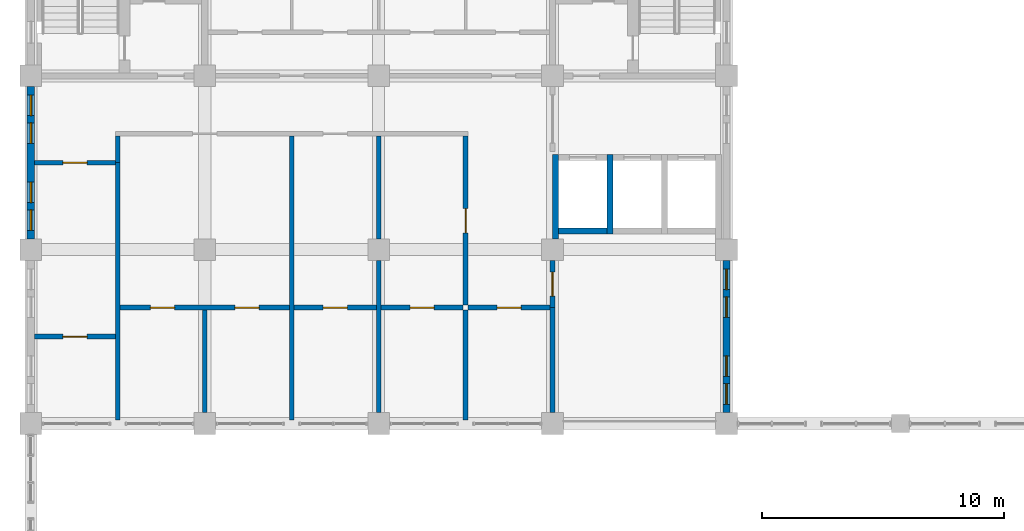
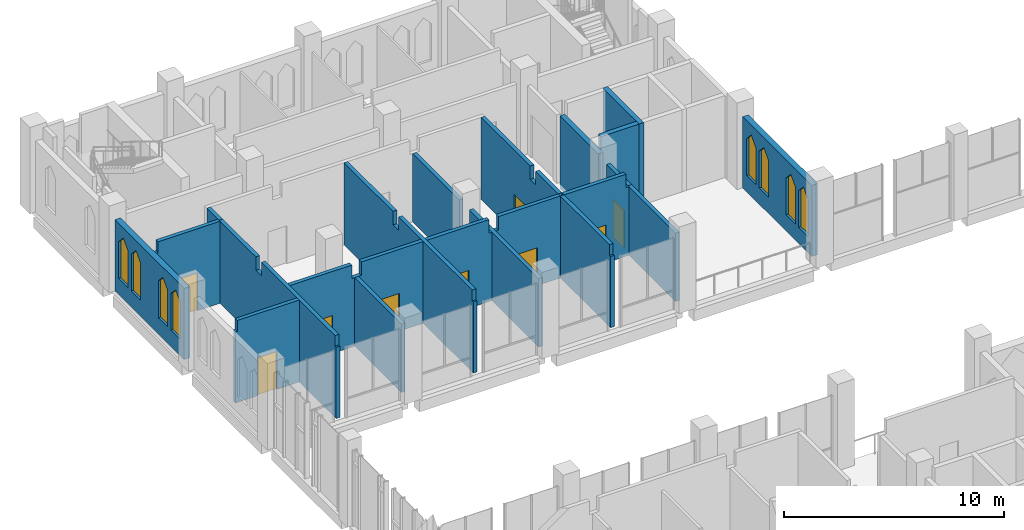
# One storey, part 30 of 39: 21 walls, 9 doors, 8 windows, 17 openings.
"""IFC4 building model written with IfcOpenShell, lengths in metres."""

from ifc_helpers import new_model, si_unit, direction, frame, frame_2d, origin, place, context, subcontext, project, spatial, polyline, rectangle, outline, extrude, material, layer, layer_set, type_object, element, fill, save


model = new_model("IFC4")

# Units and contexts
model_context = context("Model", 3, precision=1e-05, world=origin(), true_north=direction((0.0, 1.0)))
body_context = subcontext(model_context, "Body", "Model", "MODEL_VIEW")
ifc_project = project(units=[si_unit("LENGTHUNIT", "METRE"), si_unit("AREAUNIT", "SQUARE_METRE"), si_unit("VOLUMEUNIT", "CUBIC_METRE"), si_unit("PLANEANGLEUNIT", "RADIAN"), si_unit("MASSUNIT", "GRAM", prefix="KILO")], contexts=[model_context])

# Site, building, storey
site_placement = place(None, origin())
site = spatial("IfcSite", under=ifc_project, at=site_placement, CompositionType="ELEMENT")
building_placement = place(site_placement, origin())
building = spatial("IfcBuilding", under=site, at=building_placement, Name="Silangan Lancet Faculty of Sciences", CompositionType="ELEMENT")
storey_placement = place(building_placement, frame((0.0, 0.0, 26.39990234375)))
storey = spatial("IfcBuildingStorey", under=building, at=storey_placement, Name="L05", CompositionType="ELEMENT", Elevation=26.39990234375)

# Wall, openings, windows
ifc_material_1 = material(Name="Concrete C40/50 precast", Category="concrete")
ifc_layer_1 = layer(ifc_material_1, 0.300048828125)
ifc_layer_set_1 = layer_set([ifc_layer_1], Name="Concrete C40/50 precast")
wall_type_1 = type_object("IfcWallType", Name="EW1 Precast cladding wall", PredefinedType="STANDARD", material=ifc_layer_set_1)
wall_1_placement = place(storey_placement, frame((0.0, 43.64990234375, 0.0), z_axis=(0.0, 0.0, 1.0), x_axis=(0.0, 1.0, 0.0)))
wall_1 = element("IfcWall", 1, at=wall_1_placement, inside=storey, type_object=wall_type_1, Name="EW-L05-W-NT-01", PredefinedType="STANDARD", context=body_context, shape_type="SweptSolid", body=[
    extrude(rectangle(XDim=6.300048828125, YDim=0.300048828125, at=frame_2d((3.14990234375, 0.0))), origin(), (0.0, 0.0, 1.0), 3.9501953125),
])
opening_1_placement = place(wall_1_placement, frame((0.35009765625, 0.0, 0.89990234375)))
opening_1 = element("IfcOpeningElement", 2, at=opening_1_placement, cuts=wall_1, Name="Opening W14", PredefinedType="OPENING", context=body_context, shape_type="SweptSolid", body=[
    extrude(outline(polyline([(0.0, 0.0), (0.85009765625, 0.0), (0.85009765625, 2.050048828125), (0.425048828125, 2.5), (0.0, 2.050048828125), (0.0, 0.0)])), frame((0.0, 0.159912109375, 0.0), z_axis=(0.0, -1.0, 0.0), x_axis=(1.0, 0.0, 0.0)), (0.0, 0.0, 1.0), 0.320068359375),
])
opening_2_placement = place(wall_1_placement, frame((1.5, 0.0, 0.89990234375)))
opening_2 = element("IfcOpeningElement", 3, at=opening_2_placement, cuts=wall_1, Name="Opening W14", PredefinedType="OPENING", context=body_context, shape_type="SweptSolid", body=[
    extrude(outline(polyline([(0.0, 0.0), (0.85009765625, 0.0), (0.85009765625, 2.050048828125), (0.425048828125, 2.5), (0.0, 2.050048828125), (0.0, 0.0)])), frame((0.0, 0.159912109375, 0.0), z_axis=(0.0, -1.0, 0.0), x_axis=(1.0, 0.0, 0.0)), (0.0, 0.0, 1.0), 0.320068359375),
])
opening_3_placement = place(wall_1_placement, frame((3.949951171875, 0.0, 0.89990234375)))
opening_3 = element("IfcOpeningElement", 4, at=opening_3_placement, cuts=wall_1, Name="Opening W14", PredefinedType="OPENING", context=body_context, shape_type="SweptSolid", body=[
    extrude(outline(polyline([(0.0, 0.0), (0.85009765625, 0.0), (0.85009765625, 2.050048828125), (0.425048828125, 2.5), (0.0, 2.050048828125), (0.0, 0.0)])), frame((0.0, 0.159912109375, 0.0), z_axis=(0.0, -1.0, 0.0), x_axis=(1.0, 0.0, 0.0)), (0.0, 0.0, 1.0), 0.320068359375),
])
opening_4_placement = place(wall_1_placement, frame((5.10009765625, 0.0, 0.89990234375)))
opening_4 = element("IfcOpeningElement", 5, at=opening_4_placement, cuts=wall_1, Name="Opening W14", PredefinedType="OPENING", context=body_context, shape_type="SweptSolid", body=[
    extrude(outline(polyline([(0.0, 0.0), (0.85009765625, 0.0), (0.85009765625, 2.050048828125), (0.425048828125, 2.5), (0.0, 2.050048828125), (0.0, 0.0)])), frame((0.0, 0.159912109375, 0.0), z_axis=(0.0, -1.0, 0.0), x_axis=(1.0, 0.0, 0.0)), (0.0, 0.0, 1.0), 0.320068359375),
])
ifc_material_2 = material(Name="Aluminium frame, laminated double glazing", Category="aluminium")
window_type = type_object("IfcWindowType", Name="W14 Lancet window 850 x 2500", PartitioningType="SINGLE_PANEL", PredefinedType="WINDOW", material=ifc_material_2)
window_1_placement = place(opening_1_placement, origin())
window_1 = element("IfcWindow", 6, at=window_1_placement, inside=storey, type_object=window_type, Name="WIN-L05-W-NT-01a1", OverallHeight=2.5, OverallWidth=0.85009765625, PartitioningType="SINGLE_PANEL", PredefinedType="WINDOW", context=body_context, shape_type="SweptSolid", body=[
    extrude(outline(polyline([(0.0, 0.0), (0.85009765625, 0.0), (0.85009765625, 2.050048828125), (0.425048828125, 2.5), (0.0, 2.050048828125), (0.0, 0.0)])), frame((0.0, 0.030029296875, 0.0), z_axis=(0.0, -1.0, 0.0), x_axis=(1.0, 0.0, 0.0)), (0.0, 0.0, 1.0), 0.06005859375),
])
fill(opening_1, window_1)
window_2_placement = place(opening_2_placement, origin())
window_2 = element("IfcWindow", 7, at=window_2_placement, inside=storey, type_object=window_type, Name="WIN-L05-W-NT-01a2", OverallHeight=2.5, OverallWidth=0.85009765625, PartitioningType="SINGLE_PANEL", PredefinedType="WINDOW", context=body_context, shape_type="SweptSolid", body=[
    extrude(outline(polyline([(0.0, 0.0), (0.85009765625, 0.0), (0.85009765625, 2.050048828125), (0.425048828125, 2.5), (0.0, 2.050048828125), (0.0, 0.0)])), frame((0.0, 0.030029296875, 0.0), z_axis=(0.0, -1.0, 0.0), x_axis=(1.0, 0.0, 0.0)), (0.0, 0.0, 1.0), 0.06005859375),
])
fill(opening_2, window_2)
window_3_placement = place(opening_3_placement, origin())
window_3 = element("IfcWindow", 8, at=window_3_placement, inside=storey, type_object=window_type, Name="WIN-L05-W-NT-01b1", OverallHeight=2.5, OverallWidth=0.85009765625, PartitioningType="SINGLE_PANEL", PredefinedType="WINDOW", context=body_context, shape_type="SweptSolid", body=[
    extrude(outline(polyline([(0.0, 0.0), (0.85009765625, 0.0), (0.85009765625, 2.050048828125), (0.425048828125, 2.5), (0.0, 2.050048828125), (0.0, 0.0)])), frame((0.0, 0.030029296875, 0.0), z_axis=(0.0, -1.0, 0.0), x_axis=(1.0, 0.0, 0.0)), (0.0, 0.0, 1.0), 0.06005859375),
])
fill(opening_3, window_3)
window_4_placement = place(opening_4_placement, origin())
window_4 = element("IfcWindow", 9, at=window_4_placement, inside=storey, type_object=window_type, Name="WIN-L05-W-NT-01b2", OverallHeight=2.5, OverallWidth=0.85009765625, PartitioningType="SINGLE_PANEL", PredefinedType="WINDOW", context=body_context, shape_type="SweptSolid", body=[
    extrude(outline(polyline([(0.0, 0.0), (0.85009765625, 0.0), (0.85009765625, 2.050048828125), (0.425048828125, 2.5), (0.0, 2.050048828125), (0.0, 0.0)])), frame((0.0, 0.030029296875, 0.0), z_axis=(0.0, -1.0, 0.0), x_axis=(1.0, 0.0, 0.0)), (0.0, 0.0, 1.0), 0.06005859375),
])
fill(opening_4, window_4)

wall_2_placement = place(storey_placement, frame((28.800048828125, 36.449951171875, 0.0), z_axis=(0.0, 0.0, 1.0), x_axis=(0.0, 1.0, 0.0)))
wall_2 = element("IfcWall", 10, at=wall_2_placement, inside=storey, type_object=wall_type_1, Name="EW-L05-E-NT-00", PredefinedType="STANDARD", context=body_context, shape_type="SweptSolid", body=[
    extrude(rectangle(XDim=6.300048828125, YDim=0.300048828125, at=frame_2d((3.14990234375, 0.0))), origin(), (0.0, 0.0, 1.0), 3.9501953125),
])
opening_5_placement = place(wall_2_placement, frame((0.35009765625, 0.0, 0.89990234375)))
opening_5 = element("IfcOpeningElement", 11, at=opening_5_placement, cuts=wall_2, Name="Opening W14", PredefinedType="OPENING", context=body_context, shape_type="SweptSolid", body=[
    extrude(outline(polyline([(0.0, 0.0), (0.85009765625, 0.0), (0.85009765625, 2.050048828125), (0.425048828125, 2.5), (0.0, 2.050048828125), (0.0, 0.0)])), frame((0.0, 0.159912109375, 0.0), z_axis=(0.0, -1.0, 0.0), x_axis=(1.0, 0.0, 0.0)), (0.0, 0.0, 1.0), 0.320068359375),
])
opening_6_placement = place(wall_2_placement, frame((1.5, 0.0, 0.89990234375)))
opening_6 = element("IfcOpeningElement", 12, at=opening_6_placement, cuts=wall_2, Name="Opening W14", PredefinedType="OPENING", context=body_context, shape_type="SweptSolid", body=[
    extrude(outline(polyline([(0.0, 0.0), (0.85009765625, 0.0), (0.85009765625, 2.050048828125), (0.425048828125, 2.5), (0.0, 2.050048828125), (0.0, 0.0)])), frame((0.0, 0.159912109375, 0.0), z_axis=(0.0, -1.0, 0.0), x_axis=(1.0, 0.0, 0.0)), (0.0, 0.0, 1.0), 0.320068359375),
])
opening_7_placement = place(wall_2_placement, frame((3.949951171875, 0.0, 0.89990234375)))
opening_7 = element("IfcOpeningElement", 13, at=opening_7_placement, cuts=wall_2, Name="Opening W14", PredefinedType="OPENING", context=body_context, shape_type="SweptSolid", body=[
    extrude(outline(polyline([(0.0, 0.0), (0.85009765625, 0.0), (0.85009765625, 2.050048828125), (0.425048828125, 2.5), (0.0, 2.050048828125), (0.0, 0.0)])), frame((0.0, 0.159912109375, 0.0), z_axis=(0.0, -1.0, 0.0), x_axis=(1.0, 0.0, 0.0)), (0.0, 0.0, 1.0), 0.320068359375),
])
opening_8_placement = place(wall_2_placement, frame((5.10009765625, 0.0, 0.89990234375)))
opening_8 = element("IfcOpeningElement", 14, at=opening_8_placement, cuts=wall_2, Name="Opening W14", PredefinedType="OPENING", context=body_context, shape_type="SweptSolid", body=[
    extrude(outline(polyline([(0.0, 0.0), (0.85009765625, 0.0), (0.85009765625, 2.050048828125), (0.425048828125, 2.5), (0.0, 2.050048828125), (0.0, 0.0)])), frame((0.0, 0.159912109375, 0.0), z_axis=(0.0, -1.0, 0.0), x_axis=(1.0, 0.0, 0.0)), (0.0, 0.0, 1.0), 0.320068359375),
])
window_5_placement = place(opening_5_placement, origin())
window_5 = element("IfcWindow", 15, at=window_5_placement, inside=storey, type_object=window_type, Name="WIN-L05-E-NT-00a1", OverallHeight=2.5, OverallWidth=0.85009765625, PartitioningType="SINGLE_PANEL", PredefinedType="WINDOW", context=body_context, shape_type="SweptSolid", body=[
    extrude(outline(polyline([(0.0, 0.0), (0.85009765625, 0.0), (0.85009765625, 2.050048828125), (0.425048828125, 2.5), (0.0, 2.050048828125), (0.0, 0.0)])), frame((0.0, 0.030029296875, 0.0), z_axis=(0.0, -1.0, 0.0), x_axis=(1.0, 0.0, 0.0)), (0.0, 0.0, 1.0), 0.06005859375),
])
fill(opening_5, window_5)
window_6_placement = place(opening_6_placement, origin())
window_6 = element("IfcWindow", 16, at=window_6_placement, inside=storey, type_object=window_type, Name="WIN-L05-E-NT-00a2", OverallHeight=2.5, OverallWidth=0.85009765625, PartitioningType="SINGLE_PANEL", PredefinedType="WINDOW", context=body_context, shape_type="SweptSolid", body=[
    extrude(outline(polyline([(0.0, 0.0), (0.85009765625, 0.0), (0.85009765625, 2.050048828125), (0.425048828125, 2.5), (0.0, 2.050048828125), (0.0, 0.0)])), frame((0.0, 0.030029296875, 0.0), z_axis=(0.0, -1.0, 0.0), x_axis=(1.0, 0.0, 0.0)), (0.0, 0.0, 1.0), 0.06005859375),
])
fill(opening_6, window_6)
window_7_placement = place(opening_7_placement, origin())
window_7 = element("IfcWindow", 17, at=window_7_placement, inside=storey, type_object=window_type, Name="WIN-L05-E-NT-00b1", OverallHeight=2.5, OverallWidth=0.85009765625, PartitioningType="SINGLE_PANEL", PredefinedType="WINDOW", context=body_context, shape_type="SweptSolid", body=[
    extrude(outline(polyline([(0.0, 0.0), (0.85009765625, 0.0), (0.85009765625, 2.050048828125), (0.425048828125, 2.5), (0.0, 2.050048828125), (0.0, 0.0)])), frame((0.0, 0.030029296875, 0.0), z_axis=(0.0, -1.0, 0.0), x_axis=(1.0, 0.0, 0.0)), (0.0, 0.0, 1.0), 0.06005859375),
])
fill(opening_7, window_7)
window_8_placement = place(opening_8_placement, origin())
window_8 = element("IfcWindow", 18, at=window_8_placement, inside=storey, type_object=window_type, Name="WIN-L05-E-NT-00b2", OverallHeight=2.5, OverallWidth=0.85009765625, PartitioningType="SINGLE_PANEL", PredefinedType="WINDOW", context=body_context, shape_type="SweptSolid", body=[
    extrude(outline(polyline([(0.0, 0.0), (0.85009765625, 0.0), (0.85009765625, 2.050048828125), (0.425048828125, 2.5), (0.0, 2.050048828125), (0.0, 0.0)])), frame((0.0, 0.030029296875, 0.0), z_axis=(0.0, -1.0, 0.0), x_axis=(1.0, 0.0, 0.0)), (0.0, 0.0, 1.0), 0.06005859375),
])
fill(opening_8, window_8)

# Wall, opening, door
ifc_material_3 = material(Name="Hollow block masonry fm 7 MPa", Category="masonry")
ifc_layer_2 = layer(ifc_material_3, 0.199951171875)
ifc_layer_set_2 = layer_set([ifc_layer_2], Name="Hollow block masonry fm 7 MPa")
wall_type_2 = type_object("IfcWallType", Name="Interior wall PW1 Corridor wall CHB 200", PredefinedType="PARTITIONING", material=ifc_layer_set_2)
wall_3_placement = place(storey_placement, frame((18.10009765625, 40.800048828125, 0.0), z_axis=(0.0, 0.0, 1.0), x_axis=(1.0, 0.0, 0.0)))
wall_3 = element("IfcWall", 19, at=wall_3_placement, inside=storey, type_object=wall_type_2, Name="Corridor wall CHB 200", PredefinedType="PARTITIONING", context=body_context, shape_type="SweptSolid", body=[
    extrude(outline(polyline([(0.0, 0.0), (3.39990234375, 0.0), (3.39990234375, 3.800048828125), (3.25, 3.800048828125), (3.25, 4.550048828125), (0.0, 4.550048828125), (0.0, 0.0)])), frame((0.0, 0.10009765625, 0.0), z_axis=(0.0, -1.0, 0.0), x_axis=(1.0, 0.0, 0.0)), (0.0, 0.0, 1.0), 0.199951171875),
])
opening_9_placement = place(wall_3_placement, frame((1.199951171875, 0.0, 0.0)))
opening_9 = element("IfcOpeningElement", 20, at=opening_9_placement, cuts=wall_3, Name="Opening L05-022", PredefinedType="OPENING", context=body_context, shape_type="SweptSolid", body=[
    extrude(rectangle(XDim=1.0, YDim=2.10009765625, at=frame_2d((0.5, 1.050048828125))), frame((0.0, 0.10986328125, 0.0), z_axis=(0.0, -1.0, 0.0), x_axis=(1.0, 0.0, 0.0)), (0.0, 0.0, 1.0), 0.219970703125),
])
ifc_material_4 = material(Name="Steel fire door set", Category="steel")
door_type = type_object("IfcDoorType", Name="Door D1 Single leaf fire door 1000 x 2100", OperationType="SINGLE_SWING_LEFT", PredefinedType="DOOR", material=ifc_material_4)
door_1_placement = place(opening_9_placement, frame((1.0, 0.0, 0.0), z_axis=(0.0, 0.0, 1.0), x_axis=(-1.0, 0.0, 0.0)))
door_1 = element("IfcDoor", 21, at=door_1_placement, inside=storey, type_object=door_type, Name="Single leaf fire door 1000 x 2100", OperationType="SINGLE_SWING_RIGHT", OverallHeight=2.10009765625, OverallWidth=1.0, PredefinedType="DOOR", context=body_context, shape_type="SweptSolid", body=[
    extrude(rectangle(XDim=1.0, YDim=2.10009765625, at=frame_2d((0.5, 1.050048828125))), frame((0.0, 0.025146484375, 0.0), z_axis=(0.0, -1.0, 0.0), x_axis=(1.0, 0.0, 0.0)), (0.0, 0.0, 1.0), 0.050048828125),
])
fill(opening_9, door_1)

wall_4_placement = place(storey_placement, frame((0.14990234375, 46.800048828125, 0.0), z_axis=(0.0, 0.0, 1.0), x_axis=(1.0, 0.0, 0.0)))
wall_4 = element("IfcWall", 22, at=wall_4_placement, inside=storey, type_object=wall_type_2, Name="Corridor wall CHB 200", PredefinedType="PARTITIONING", context=body_context, shape_type="SweptSolid", body=[
    extrude(outline(polyline([(0.0, 0.0), (3.35009765625, 0.0), (3.35009765625, 4.550048828125), (0.10009765625, 4.550048828125), (0.10009765625, 3.9501953125), (0.0, 3.9501953125), (0.0, 0.0)])), frame((0.0, 0.10009765625, 0.0), z_axis=(0.0, -1.0, 0.0), x_axis=(1.0, 0.0, 0.0)), (0.0, 0.0, 1.0), 0.199951171875),
])
opening_10_placement = place(wall_4_placement, frame((1.175048828125, 0.0, 0.0)))
opening_10 = element("IfcOpeningElement", 23, at=opening_10_placement, cuts=wall_4, Name="Opening L05-024", PredefinedType="OPENING", context=body_context, shape_type="SweptSolid", body=[
    extrude(rectangle(XDim=1.0, YDim=2.10009765625, at=frame_2d((0.5, 1.050048828125))), frame((0.0, 0.10986328125, 0.0), z_axis=(0.0, -1.0, 0.0), x_axis=(1.0, 0.0, 0.0)), (0.0, 0.0, 1.0), 0.219970703125),
])
door_2_placement = place(opening_10_placement, frame((1.0, 0.0, 0.0), z_axis=(0.0, 0.0, 1.0), x_axis=(-1.0, 0.0, 0.0)))
door_2 = element("IfcDoor", 24, at=door_2_placement, inside=storey, type_object=door_type, Name="Single leaf fire door 1000 x 2100", OperationType="SINGLE_SWING_RIGHT", OverallHeight=2.10009765625, OverallWidth=1.0, PredefinedType="DOOR", context=body_context, shape_type="SweptSolid", body=[
    extrude(rectangle(XDim=1.0, YDim=2.10009765625, at=frame_2d((0.5, 1.050048828125))), frame((0.0, 0.025146484375, 0.0), z_axis=(0.0, -1.0, 0.0), x_axis=(1.0, 0.0, 0.0)), (0.0, 0.0, 1.0), 0.050048828125),
])
fill(opening_10, door_2)

# Wall
wall_5_placement = place(storey_placement, frame((3.60009765625, 46.800048828125, 0.0), z_axis=(0.0, 0.0, 1.0), x_axis=(0.0, 1.0, 0.0)))
element("IfcWall", 25, at=wall_5_placement, inside=storey, type_object=wall_type_2, Name="Corridor wall CHB 200", PredefinedType="PARTITIONING", context=body_context, shape_type="SweptSolid", body=[
    extrude(rectangle(XDim=1.099853515625, YDim=0.199951171875, at=frame_2d((0.5498046875, 0.0))), origin(), (0.0, 0.0, 1.0), 4.550048828125),
])

# Wall, opening, door
wall_6_placement = place(storey_placement, frame((18.0, 40.89990234375, 0.0), z_axis=(0.0, 0.0, 1.0), x_axis=(0.0, 1.0, 0.0)))
wall_6 = element("IfcWall", 26, at=wall_6_placement, inside=storey, type_object=wall_type_2, Name="Corridor wall CHB 200", PredefinedType="PARTITIONING", context=body_context, shape_type="SweptSolid", body=[
    extrude(outline(polyline([(0.0, 0.0), (7.0, 0.0), (7.0, 4.550048828125), (2.550048828125, 4.550048828125), (2.550048828125, 3.800048828125), (2.050048828125, 3.800048828125), (2.050048828125, 4.550048828125), (0.0, 4.550048828125), (0.0, 0.0)])), frame((0.0, 0.10009765625, 0.0), z_axis=(0.0, -1.0, 0.0), x_axis=(1.0, 0.0, 0.0)), (0.0, 0.0, 1.0), 0.199951171875),
])
opening_11_placement = place(wall_6_placement, frame((3.0, 0.0, 0.0)))
opening_11 = element("IfcOpeningElement", 27, at=opening_11_placement, cuts=wall_6, Name="Opening L05-031", PredefinedType="OPENING", context=body_context, shape_type="SweptSolid", body=[
    extrude(rectangle(XDim=1.0, YDim=2.10009765625, at=frame_2d((0.5, 1.050048828125))), frame((0.0, 0.10986328125, 0.0), z_axis=(0.0, -1.0, 0.0), x_axis=(1.0, 0.0, 0.0)), (0.0, 0.0, 1.0), 0.219970703125),
])
door_3_placement = place(opening_11_placement, origin())
door_3 = element("IfcDoor", 28, at=door_3_placement, inside=storey, type_object=door_type, Name="Single leaf fire door 1000 x 2100", OperationType="SINGLE_SWING_RIGHT", OverallHeight=2.10009765625, OverallWidth=1.0, PredefinedType="DOOR", context=body_context, shape_type="SweptSolid", body=[
    extrude(rectangle(XDim=1.0, YDim=2.10009765625, at=frame_2d((0.5, 1.050048828125))), frame((0.0, 0.02490234375, 0.0), z_axis=(0.0, -1.0, 0.0), x_axis=(1.0, 0.0, 0.0)), (0.0, 0.0, 1.0), 0.050048828125),
])
fill(opening_11, door_3)

wall_7_placement = place(storey_placement, frame((21.60009765625, 40.800048828125, 0.0), z_axis=(0.0, 0.0, 1.0), x_axis=(0.0, 1.0, 0.0)))
wall_7 = element("IfcWall", 29, at=wall_7_placement, inside=storey, type_object=wall_type_2, Name="Corridor wall CHB 200", PredefinedType="PARTITIONING", context=body_context, shape_type="SweptSolid", body=[
    extrude(rectangle(XDim=1.949951171875, YDim=0.199951171875, at=frame_2d((0.97509765625, 0.0))), origin(), (0.0, 0.0, 1.0), 3.800048828125),
])
opening_12_placement = place(wall_7_placement, frame((0.47509765625, 0.0, 0.0)))
opening_12 = element("IfcOpeningElement", 30, at=opening_12_placement, cuts=wall_7, Name="Opening L05-023", PredefinedType="OPENING", context=body_context, shape_type="SweptSolid", body=[
    extrude(rectangle(XDim=1.0, YDim=2.10009765625, at=frame_2d((0.5, 1.050048828125))), frame((0.0, 0.10986328125, 0.0), z_axis=(0.0, -1.0, 0.0), x_axis=(1.0, 0.0, 0.0)), (0.0, 0.0, 1.0), 0.219970703125),
])
door_4_placement = place(opening_12_placement, frame((1.0, 0.0, 0.0), z_axis=(0.0, 0.0, 1.0), x_axis=(-1.0, 0.0, 0.0)))
door_4 = element("IfcDoor", 31, at=door_4_placement, inside=storey, type_object=door_type, Name="Single leaf fire door 1000 x 2100", OperationType="SINGLE_SWING_LEFT", OverallHeight=2.10009765625, OverallWidth=1.0, PredefinedType="DOOR", context=body_context, shape_type="SweptSolid", body=[
    extrude(rectangle(XDim=1.0, YDim=2.10009765625, at=frame_2d((0.5, 1.050048828125))), frame((0.0, 0.025146484375, 0.0), z_axis=(0.0, -1.0, 0.0), x_axis=(1.0, 0.0, 0.0)), (0.0, 0.0, 1.0), 0.050048828125),
])
fill(opening_12, door_4)

ifc_material_5 = material(Name="Hollow block masonry fm 7 MPa", Category="masonry")
ifc_layer_3 = layer(ifc_material_5, 0.199951171875)
ifc_layer_set_3 = layer_set([ifc_layer_3], Name="Hollow block masonry fm 7 MPa")
wall_type_3 = type_object("IfcWallType", Name="Interior wall PW4 Laboratory separation CHB 200", PredefinedType="PARTITIONING", material=ifc_layer_set_3)
wall_8_placement = place(storey_placement, frame((0.14990234375, 39.60009765625, 0.0), z_axis=(0.0, 0.0, 1.0), x_axis=(1.0, 0.0, 0.0)))
wall_8 = element("IfcWall", 32, at=wall_8_placement, inside=storey, type_object=wall_type_3, Name="Laboratory separation CHB 200", PredefinedType="PARTITIONING", context=body_context, shape_type="SweptSolid", body=[
    extrude(outline(polyline([(0.0, 0.0), (3.35009765625, 0.0), (3.35009765625, 4.550048828125), (0.10009765625, 4.550048828125), (0.10009765625, 3.9501953125), (0.0, 3.9501953125), (0.0, 0.0)])), frame((0.0, 0.10009765625, 0.0), z_axis=(0.0, -1.0, 0.0), x_axis=(1.0, 0.0, 0.0)), (0.0, 0.0, 1.0), 0.199951171875),
])
opening_13_placement = place(wall_8_placement, frame((1.175048828125, 0.0, 0.0)))
opening_13 = element("IfcOpeningElement", 33, at=opening_13_placement, cuts=wall_8, Name="Opening L05-025", PredefinedType="OPENING", context=body_context, shape_type="SweptSolid", body=[
    extrude(rectangle(XDim=1.0, YDim=2.10009765625, at=frame_2d((0.5, 1.050048828125))), frame((0.0, 0.10986328125, 0.0), z_axis=(0.0, -1.0, 0.0), x_axis=(1.0, 0.0, 0.0)), (0.0, 0.0, 1.0), 0.219970703125),
])
door_5_placement = place(opening_13_placement, frame((1.0, 0.0, 0.0), z_axis=(0.0, 0.0, 1.0), x_axis=(-1.0, 0.0, 0.0)))
door_5 = element("IfcDoor", 34, at=door_5_placement, inside=storey, type_object=door_type, Name="Single leaf fire door 1000 x 2100", OperationType="SINGLE_SWING_LEFT", OverallHeight=2.10009765625, OverallWidth=1.0, PredefinedType="DOOR", context=body_context, shape_type="SweptSolid", body=[
    extrude(rectangle(XDim=1.0, YDim=2.10009765625, at=frame_2d((0.5, 1.050048828125))), frame((0.0, 0.025146484375, 0.0), z_axis=(0.0, -1.0, 0.0), x_axis=(1.0, 0.0, 0.0)), (0.0, 0.0, 1.0), 0.050048828125),
])
fill(opening_13, door_5)

# Wall, openings, doors
wall_9_placement = place(storey_placement, frame((3.699951171875, 40.800048828125, 0.0), z_axis=(0.0, 0.0, 1.0), x_axis=(1.0, 0.0, 0.0)))
wall_9 = element("IfcWall", 35, at=wall_9_placement, inside=storey, type_object=wall_type_3, Name="Laboratory separation CHB 200", PredefinedType="PARTITIONING", context=body_context, shape_type="SweptSolid", body=[
    extrude(outline(polyline([(0.0, 0.0), (7.0, 0.0), (7.0, 4.550048828125), (3.75, 4.550048828125), (3.75, 3.800048828125), (3.25, 3.800048828125), (3.25, 4.550048828125), (0.0, 4.550048828125), (0.0, 0.0)])), frame((0.0, 0.10009765625, 0.0), z_axis=(0.0, -1.0, 0.0), x_axis=(1.0, 0.0, 0.0)), (0.0, 0.0, 1.0), 0.199951171875),
])
opening_14_placement = place(wall_9_placement, frame((1.25, 0.0, 0.0)))
opening_14 = element("IfcOpeningElement", 36, at=opening_14_placement, cuts=wall_9, Name="Opening L05-027", PredefinedType="OPENING", context=body_context, shape_type="SweptSolid", body=[
    extrude(rectangle(XDim=1.0, YDim=2.10009765625, at=frame_2d((0.5, 1.050048828125))), frame((0.0, 0.10986328125, 0.0), z_axis=(0.0, -1.0, 0.0), x_axis=(1.0, 0.0, 0.0)), (0.0, 0.0, 1.0), 0.219970703125),
])
opening_15_placement = place(wall_9_placement, frame((4.75, 0.0, 0.0)))
opening_15 = element("IfcOpeningElement", 37, at=opening_15_placement, cuts=wall_9, Name="Opening L05-028", PredefinedType="OPENING", context=body_context, shape_type="SweptSolid", body=[
    extrude(rectangle(XDim=1.0, YDim=2.10009765625, at=frame_2d((0.5, 1.050048828125))), frame((0.0, 0.10986328125, 0.0), z_axis=(0.0, -1.0, 0.0), x_axis=(1.0, 0.0, 0.0)), (0.0, 0.0, 1.0), 0.219970703125),
])
door_6_placement = place(opening_14_placement, frame((1.0, 0.0, 0.0), z_axis=(0.0, 0.0, 1.0), x_axis=(-1.0, 0.0, 0.0)))
door_6 = element("IfcDoor", 38, at=door_6_placement, inside=storey, type_object=door_type, Name="Single leaf fire door 1000 x 2100", OperationType="SINGLE_SWING_LEFT", OverallHeight=2.10009765625, OverallWidth=1.0, PredefinedType="DOOR", context=body_context, shape_type="SweptSolid", body=[
    extrude(rectangle(XDim=1.0, YDim=2.10009765625, at=frame_2d((0.5, 1.050048828125))), frame((0.0, 0.025146484375, 0.0), z_axis=(0.0, -1.0, 0.0), x_axis=(1.0, 0.0, 0.0)), (0.0, 0.0, 1.0), 0.050048828125),
])
fill(opening_14, door_6)
door_7_placement = place(opening_15_placement, frame((1.0, 0.0, 0.0), z_axis=(0.0, 0.0, 1.0), x_axis=(-1.0, 0.0, 0.0)))
door_7 = element("IfcDoor", 39, at=door_7_placement, inside=storey, type_object=door_type, Name="Single leaf fire door 1000 x 2100", OperationType="SINGLE_SWING_RIGHT", OverallHeight=2.10009765625, OverallWidth=1.0, PredefinedType="DOOR", context=body_context, shape_type="SweptSolid", body=[
    extrude(rectangle(XDim=1.0, YDim=2.10009765625, at=frame_2d((0.5, 1.050048828125))), frame((0.0, 0.025146484375, 0.0), z_axis=(0.0, -1.0, 0.0), x_axis=(1.0, 0.0, 0.0)), (0.0, 0.0, 1.0), 0.050048828125),
])
fill(opening_15, door_7)

# Wall, opening, door
wall_10_placement = place(storey_placement, frame((10.89990234375, 40.800048828125, 0.0), z_axis=(0.0, 0.0, 1.0), x_axis=(1.0, 0.0, 0.0)))
wall_10 = element("IfcWall", 40, at=wall_10_placement, inside=storey, type_object=wall_type_3, Name="Laboratory separation CHB 200", PredefinedType="PARTITIONING", context=body_context, shape_type="SweptSolid", body=[
    extrude(outline(polyline([(0.0, 0.0), (3.400146484375, 0.0), (3.400146484375, 3.800048828125), (3.25, 3.800048828125), (3.25, 4.550048828125), (0.0, 4.550048828125), (0.0, 0.0)])), frame((0.0, 0.10009765625, 0.0), z_axis=(0.0, -1.0, 0.0), x_axis=(1.0, 0.0, 0.0)), (0.0, 0.0, 1.0), 0.199951171875),
])
opening_16_placement = place(wall_10_placement, frame((1.2001953125, 0.0, 0.0)))
opening_16 = element("IfcOpeningElement", 41, at=opening_16_placement, cuts=wall_10, Name="Opening L05-030", PredefinedType="OPENING", context=body_context, shape_type="SweptSolid", body=[
    extrude(rectangle(XDim=1.0, YDim=2.10009765625, at=frame_2d((0.5, 1.050048828125))), frame((0.0, 0.10986328125, 0.0), z_axis=(0.0, -1.0, 0.0), x_axis=(1.0, 0.0, 0.0)), (0.0, 0.0, 1.0), 0.219970703125),
])
door_8_placement = place(opening_16_placement, frame((1.0, 0.0, 0.0), z_axis=(0.0, 0.0, 1.0), x_axis=(-1.0, 0.0, 0.0)))
door_8 = element("IfcDoor", 42, at=door_8_placement, inside=storey, type_object=door_type, Name="Single leaf fire door 1000 x 2100", OperationType="SINGLE_SWING_RIGHT", OverallHeight=2.10009765625, OverallWidth=1.0, PredefinedType="DOOR", context=body_context, shape_type="SweptSolid", body=[
    extrude(rectangle(XDim=1.0, YDim=2.10009765625, at=frame_2d((0.5, 1.050048828125))), frame((0.0, 0.025146484375, 0.0), z_axis=(0.0, -1.0, 0.0), x_axis=(1.0, 0.0, 0.0)), (0.0, 0.0, 1.0), 0.050048828125),
])
fill(opening_16, door_8)

wall_11_placement = place(storey_placement, frame((14.5, 40.800048828125, 0.0), z_axis=(0.0, 0.0, 1.0), x_axis=(1.0, 0.0, 0.0)))
wall_11 = element("IfcWall", 43, at=wall_11_placement, inside=storey, type_object=wall_type_3, Name="Laboratory separation CHB 200", PredefinedType="PARTITIONING", context=body_context, shape_type="SweptSolid", body=[
    extrude(outline(polyline([(0.0, 0.0), (3.39990234375, 0.0), (3.39990234375, 4.550048828125), (0.14990234375, 4.550048828125), (0.14990234375, 3.800048828125), (0.0, 3.800048828125), (0.0, 0.0)])), frame((0.0, 0.10009765625, 0.0), z_axis=(0.0, -1.0, 0.0), x_axis=(1.0, 0.0, 0.0)), (0.0, 0.0, 1.0), 0.199951171875),
])
opening_17_placement = place(wall_11_placement, frame((1.199951171875, 0.0, 0.0)))
opening_17 = element("IfcOpeningElement", 44, at=opening_17_placement, cuts=wall_11, Name="Opening L05-032", PredefinedType="OPENING", context=body_context, shape_type="SweptSolid", body=[
    extrude(rectangle(XDim=1.0, YDim=2.10009765625, at=frame_2d((0.5, 1.050048828125))), frame((0.0, 0.10986328125, 0.0), z_axis=(0.0, -1.0, 0.0), x_axis=(1.0, 0.0, 0.0)), (0.0, 0.0, 1.0), 0.219970703125),
])
door_9_placement = place(opening_17_placement, frame((1.0, 0.0, 0.0), z_axis=(0.0, 0.0, 1.0), x_axis=(-1.0, 0.0, 0.0)))
door_9 = element("IfcDoor", 45, at=door_9_placement, inside=storey, type_object=door_type, Name="Single leaf fire door 1000 x 2100", OperationType="SINGLE_SWING_RIGHT", OverallHeight=2.10009765625, OverallWidth=1.0, PredefinedType="DOOR", context=body_context, shape_type="SweptSolid", body=[
    extrude(rectangle(XDim=1.0, YDim=2.10009765625, at=frame_2d((0.5, 1.050048828125))), frame((0.0, 0.025146484375, 0.0), z_axis=(0.0, -1.0, 0.0), x_axis=(1.0, 0.0, 0.0)), (0.0, 0.0, 1.0), 0.050048828125),
])
fill(opening_17, door_9)

# Walls
wall_12_placement = place(storey_placement, frame((3.60009765625, 36.14990234375, 0.0), z_axis=(0.0, 0.0, 1.0), x_axis=(0.0, 1.0, 0.0)))
element("IfcWall", 46, at=wall_12_placement, inside=storey, type_object=wall_type_3, Name="Laboratory separation CHB 200", PredefinedType="PARTITIONING", context=body_context, shape_type="SweptSolid", body=[
    extrude(outline(polyline([(0.0, 0.0), (10.650146484375, 0.0), (10.650146484375, 4.550048828125), (7.300048828125, 4.550048828125), (7.300048828125, 3.800048828125), (6.800048828125, 3.800048828125), (6.800048828125, 4.550048828125), (0.10009765625, 4.550048828125), (0.10009765625, 3.9501953125), (0.0, 3.9501953125), (0.0, 0.0)])), frame((0.0, 0.10009765625, 0.0), z_axis=(0.0, -1.0, 0.0), x_axis=(1.0, 0.0, 0.0)), (0.0, 0.0, 1.0), 0.199951171875),
])
wall_13_placement = place(storey_placement, frame((7.199951171875, 36.449951171875, 0.0), z_axis=(0.0, 0.0, 1.0), x_axis=(0.0, 1.0, 0.0)))
element("IfcWall", 47, at=wall_13_placement, inside=storey, type_object=wall_type_3, Name="Laboratory separation CHB 200", PredefinedType="PARTITIONING", context=body_context, shape_type="SweptSolid", body=[
    extrude(rectangle(XDim=4.25, YDim=0.199951171875, at=frame_2d((2.125, 0.0))), origin(), (0.0, 0.0, 1.0), 3.800048828125),
])
wall_14_placement = place(storey_placement, frame((10.800048828125, 36.14990234375, 0.0), z_axis=(0.0, 0.0, 1.0), x_axis=(0.0, 1.0, 0.0)))
element("IfcWall", 48, at=wall_14_placement, inside=storey, type_object=wall_type_3, Name="Laboratory separation CHB 200", PredefinedType="PARTITIONING", context=body_context, shape_type="SweptSolid", body=[
    extrude(outline(polyline([(0.0, 0.0), (11.75, 0.0), (11.75, 4.550048828125), (7.300048828125, 4.550048828125), (7.300048828125, 3.800048828125), (6.800048828125, 3.800048828125), (6.800048828125, 4.550048828125), (0.10009765625, 4.550048828125), (0.10009765625, 3.9501953125), (0.0, 3.9501953125), (0.0, 0.0)])), frame((0.0, 0.10009765625, 0.0), z_axis=(0.0, -1.0, 0.0), x_axis=(1.0, 0.0, 0.0)), (0.0, 0.0, 1.0), 0.199951171875),
])
wall_15_placement = place(storey_placement, frame((14.39990234375, 36.449951171875, 0.0), z_axis=(0.0, 0.0, 1.0), x_axis=(0.0, 1.0, 0.0)))
element("IfcWall", 49, at=wall_15_placement, inside=storey, type_object=wall_type_3, Name="Laboratory separation CHB 200", PredefinedType="PARTITIONING", context=body_context, shape_type="SweptSolid", body=[
    extrude(rectangle(XDim=6.300048828125, YDim=0.199951171875, at=frame_2d((3.14990234375, 0.0))), origin(), (0.0, 0.0, 1.0), 3.800048828125),
])
wall_16_placement = place(storey_placement, frame((14.39990234375, 43.64990234375, 0.0), z_axis=(0.0, 0.0, 1.0), x_axis=(0.0, 1.0, 0.0)))
element("IfcWall", 50, at=wall_16_placement, inside=storey, type_object=wall_type_3, Name="Laboratory separation CHB 200", PredefinedType="PARTITIONING", context=body_context, shape_type="SweptSolid", body=[
    extrude(rectangle(XDim=4.25, YDim=0.199951171875, at=frame_2d((2.125, 0.0))), origin(), (0.0, 0.0, 1.0), 3.800048828125),
])
wall_17_placement = place(storey_placement, frame((18.0, 36.14990234375, 0.0), z_axis=(0.0, 0.0, 1.0), x_axis=(0.0, 1.0, 0.0)))
element("IfcWall", 51, at=wall_17_placement, inside=storey, type_object=wall_type_3, Name="Laboratory separation CHB 200", PredefinedType="PARTITIONING", context=body_context, shape_type="SweptSolid", body=[
    extrude(outline(polyline([(0.0, 0.0), (4.550048828125, 0.0), (4.550048828125, 4.550048828125), (0.10009765625, 4.550048828125), (0.10009765625, 3.9501953125), (0.0, 3.9501953125), (0.0, 0.0)])), frame((0.0, 0.10009765625, 0.0), z_axis=(0.0, -1.0, 0.0), x_axis=(1.0, 0.0, 0.0)), (0.0, 0.0, 1.0), 0.199951171875),
])
wall_18_placement = place(storey_placement, frame((21.60009765625, 36.449951171875, 0.0), z_axis=(0.0, 0.0, 1.0), x_axis=(0.0, 1.0, 0.0)))
element("IfcWall", 52, at=wall_18_placement, inside=storey, type_object=wall_type_3, Name="Laboratory separation CHB 200", PredefinedType="PARTITIONING", context=body_context, shape_type="SweptSolid", body=[
    extrude(rectangle(XDim=4.35009765625, YDim=0.199951171875, at=frame_2d((2.175048828125, 0.0))), origin(), (0.0, 0.0, 1.0), 3.800048828125),
])
ifc_material_6 = material(Name="Concrete C40/50", Category="concrete")
ifc_layer_4 = layer(ifc_material_6, 0.25)
ifc_layer_set_4 = layer_set([ifc_layer_4], Name="Concrete C40/50")
wall_type_4 = type_object("IfcWallType", Name="LIFT SHAFT WALL RC 250", PredefinedType="SHEAR", material=ifc_layer_set_4)
wall_19_placement = place(storey_placement, frame((21.72509765625, 43.64990234375, -0.25), z_axis=(0.0, 0.0, 1.0), x_axis=(0.0, 1.0, 0.0)))
element("IfcWall", 53, at=wall_19_placement, inside=storey, type_object=wall_type_4, Name="WALL-L05-NT-SW1", PredefinedType="SHEAR", context=body_context, shape_type="SweptSolid", body=[
    extrude(rectangle(XDim=3.5, YDim=0.25, at=frame_2d((1.75, 0.0))), origin(), (0.0, 0.0, 1.0), 4.050048828125),
])
wall_20_placement = place(storey_placement, frame((23.97509765625, 43.85009765625, -0.25), z_axis=(0.0, 0.0, 1.0), x_axis=(0.0, 1.0, 0.0)))
element("IfcWall", 54, at=wall_20_placement, inside=storey, type_object=wall_type_4, Name="WALL-L05-NT-SW2", PredefinedType="SHEAR", context=body_context, shape_type="SweptSolid", body=[
    extrude(rectangle(XDim=3.2998046875, YDim=0.25, at=frame_2d((1.64990234375, 0.0))), origin(), (0.0, 0.0, 1.0), 4.800048828125),
])
wall_21_placement = place(storey_placement, frame((21.85009765625, 43.97509765625, -0.25), z_axis=(0.0, 0.0, 1.0), x_axis=(1.0, 0.0, 0.0)))
element("IfcWall", 55, at=wall_21_placement, inside=storey, type_object=wall_type_4, Name="WALL-L05-NT-L1-B", PredefinedType="SHEAR", context=body_context, shape_type="SweptSolid", body=[
    extrude(rectangle(XDim=2.0, YDim=0.25, at=frame_2d((1.0, 0.0))), origin(), (0.0, 0.0, 1.0), 4.800048828125),
])

save(model, "model.ifc")
